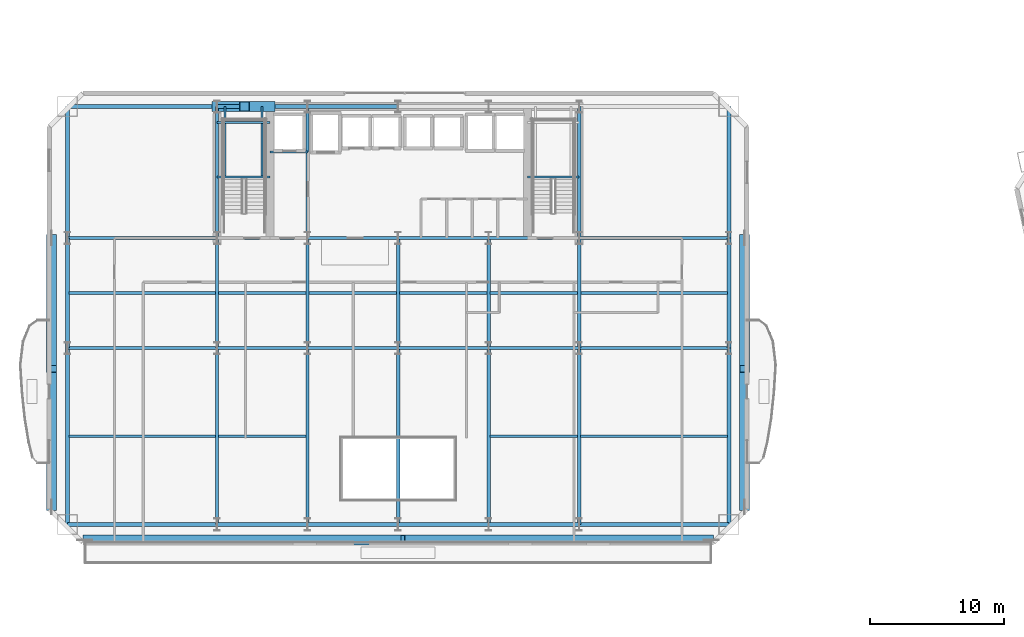
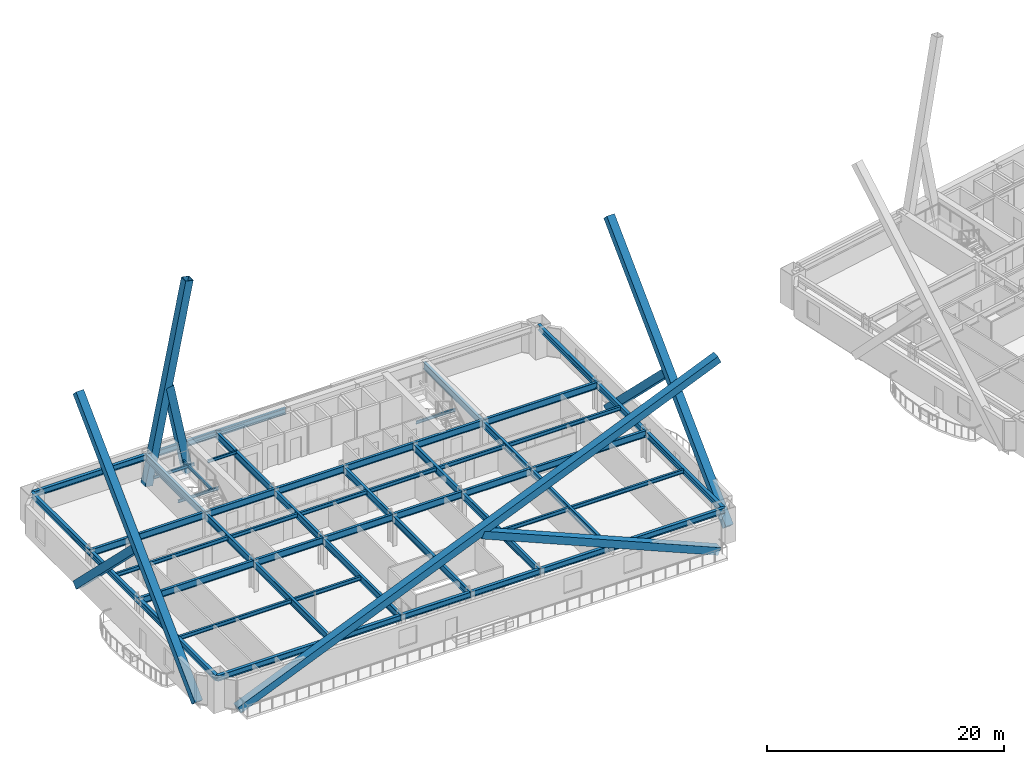
# One storey, part 3 of 25: 56 beams, 8 members.
"""IFC4 building model written with IfcOpenShell, lengths in metres."""

from ifc_helpers import new_model, si_unit, direction, frame, origin, origin_2d, place, context, subcontext, project, spatial, hollow_rectangle, i_section, extrude, material, material_profile, profile_set, type_object, element, save


model = new_model("IFC4")

# Units and contexts
model_context = context("Model", 3, precision=1e-05, world=origin(), true_north=direction((0.0, 1.0)))
body_context = subcontext(model_context, "Body", "Model", "MODEL_VIEW")
ifc_project = project(units=[si_unit("LENGTHUNIT", "METRE"), si_unit("AREAUNIT", "SQUARE_METRE"), si_unit("VOLUMEUNIT", "CUBIC_METRE"), si_unit("PLANEANGLEUNIT", "RADIAN"), si_unit("MASSUNIT", "GRAM", prefix="KILO")], contexts=[model_context])

# Site, building, storey
site_placement = place(None, origin())
site = spatial("IfcSite", under=ifc_project, at=site_placement, CompositionType="ELEMENT")
building_placement = place(site_placement, origin())
building = spatial("IfcBuilding", under=site, at=building_placement, Name="Haevon Station Towers", CompositionType="ELEMENT")
storey_placement = place(building_placement, frame((0.0, 0.0, 50.39990234375)))
storey = spatial("IfcBuildingStorey", under=building, at=storey_placement, Name="L12", CompositionType="ELEMENT", Elevation=50.39990234375)

# Beams
ifc_material_1 = material(Name="Steel S355", Category="steel")
ifc_material_profile_1 = material_profile(ifc_material_1, i_section(OverallWidth=0.25, OverallDepth=0.699951171875, WebThickness=0.012939453125, FlangeThickness=0.02392578125, at=origin_2d()), Name="H-700x250x13x24")
ifc_profile_set_1 = profile_set([ifc_material_profile_1], Name="Steel S355")
beam_type_1 = type_object("IfcBeamType", Name="BM-G700", PredefinedType="BEAM", material=ifc_profile_set_1)
beam_1_placement = place(storey_placement, frame((12.85009765625, 30.0, 2.7001953125), z_axis=(1.0, 0.0, 0.0), x_axis=(0.0, 1.0, 0.0)))
element("IfcBeam", 1, at=beam_1_placement, inside=storey, type_object=beam_type_1, Name="BM-T1U-L12-02-01", PredefinedType="BEAM", context=body_context, shape_type="SweptSolid", body=[
    extrude(i_section(OverallWidth=0.25, OverallDepth=0.699951171875, WebThickness=0.012939453125, FlangeThickness=0.02392578125, at=origin_2d()), origin(), (0.0, 0.0, 1.0), 11.14990234375),
])
for number, where, z_axis, x_axis, name in (
    (2, (24.0, 30.0, 2.7001953125), (1.0, 0.0, 0.0), (0.0, 1.0, 0.0), "BM-T1U-L12-02-02"),
    (3, (30.75, 30.0, 2.7001953125), (1.0, 0.0, 0.0), (0.0, 1.0, 0.0), "BM-T1U-L12-02-03"),
    (4, (37.5, 30.0, 2.7001953125), (1.0, 0.0, 0.0), (0.0, 1.0, 0.0), "BM-T1U-L12-02-04"),
    (5, (44.25, 30.0, 2.7001953125), (1.0, 0.0, 0.0), (0.0, 1.0, 0.0), "BM-T1U-L12-02-05"),
):
    element("IfcBeam", number, at=place(storey_placement, frame(where, z_axis=z_axis, x_axis=x_axis)), inside=storey, type_object=beam_type_1, Name=name, PredefinedType="BEAM", context=body_context, shape_type="SweptSolid", body=[
        extrude(i_section(OverallWidth=0.25, OverallDepth=0.699951171875, WebThickness=0.012939453125, FlangeThickness=0.02392578125, at=origin_2d()), origin(), (0.0, 0.0, 1.0), 6.75),
    ])
for number, where, z_axis, x_axis, name in (
    (6, (51.0, 30.0, 2.7001953125), (1.0, 0.0, 0.0), (0.0, 1.0, 0.0), "BM-T1U-L12-02-06"),
    (7, (12.85009765625, 38.199951171875, 2.7001953125), (1.0, 0.0, 0.0), (0.0, 1.0, 0.0), "BM-T1U-L12-03-01"),
):
    element("IfcBeam", number, at=place(storey_placement, frame(where, z_axis=z_axis, x_axis=x_axis)), inside=storey, type_object=beam_type_1, Name=name, PredefinedType="BEAM", context=body_context, shape_type="SweptSolid", body=[
        extrude(i_section(OverallWidth=0.25, OverallDepth=0.699951171875, WebThickness=0.012939453125, FlangeThickness=0.02392578125, at=origin_2d()), origin(), (0.0, 0.0, 1.0), 11.14990234375),
    ])
for number, where, z_axis, x_axis, name in (
    (8, (24.0, 38.199951171875, 2.7001953125), (1.0, 0.0, 0.0), (0.0, 1.0, 0.0), "BM-T1U-L12-03-02"),
    (9, (30.75, 38.199951171875, 2.7001953125), (1.0, 0.0, 0.0), (0.0, 1.0, 0.0), "BM-T1U-L12-03-03"),
    (10, (37.5, 38.199951171875, 2.7001953125), (1.0, 0.0, 0.0), (0.0, 1.0, 0.0), "BM-T1U-L12-03-04"),
    (11, (44.25, 38.199951171875, 2.7001953125), (1.0, 0.0, 0.0), (0.0, 1.0, 0.0), "BM-T1U-L12-03-05"),
):
    element("IfcBeam", number, at=place(storey_placement, frame(where, z_axis=z_axis, x_axis=x_axis)), inside=storey, type_object=beam_type_1, Name=name, PredefinedType="BEAM", context=body_context, shape_type="SweptSolid", body=[
        extrude(i_section(OverallWidth=0.25, OverallDepth=0.699951171875, WebThickness=0.012939453125, FlangeThickness=0.02392578125, at=origin_2d()), origin(), (0.0, 0.0, 1.0), 6.75),
    ])
beam_2_placement = place(storey_placement, frame((51.0, 38.199951171875, 2.7001953125), z_axis=(1.0, 0.0, 0.0), x_axis=(0.0, 1.0, 0.0)))
element("IfcBeam", 12, at=beam_2_placement, inside=storey, type_object=beam_type_1, Name="BM-T1U-L12-03-06", PredefinedType="BEAM", context=body_context, shape_type="SweptSolid", body=[
    extrude(i_section(OverallWidth=0.25, OverallDepth=0.699951171875, WebThickness=0.012939453125, FlangeThickness=0.02392578125, at=origin_2d()), origin(), (0.0, 0.0, 1.0), 11.14990234375),
])
beam_3_placement = place(storey_placement, frame((24.0, 16.85009765625, 2.7001953125), z_axis=(0.0, 1.0, 0.0), x_axis=(-1.0, 0.0, 0.0)))
element("IfcBeam", 13, at=beam_3_placement, inside=storey, type_object=beam_type_1, Name="BM-T1V-L12-02-01", PredefinedType="BEAM", context=body_context, shape_type="SweptSolid", body=[
    extrude(i_section(OverallWidth=0.25, OverallDepth=0.699951171875, WebThickness=0.012939453125, FlangeThickness=0.02392578125, at=origin_2d()), origin(), (0.0, 0.0, 1.0), 13.14990234375),
])
beam_4_placement = place(storey_placement, frame((24.0, 30.0, 2.7001953125), z_axis=(0.0, 1.0, 0.0), x_axis=(-1.0, 0.0, 0.0)))
element("IfcBeam", 14, at=beam_4_placement, inside=storey, type_object=beam_type_1, Name="BM-T1V-L12-02-02", PredefinedType="BEAM", context=body_context, shape_type="SweptSolid", body=[
    extrude(i_section(OverallWidth=0.25, OverallDepth=0.699951171875, WebThickness=0.012939453125, FlangeThickness=0.02392578125, at=origin_2d()), origin(), (0.0, 0.0, 1.0), 8.199951171875),
])
beam_5_placement = place(storey_placement, frame((24.0, 38.199951171875, 2.7001953125), z_axis=(0.0, 1.0, 0.0), x_axis=(-1.0, 0.0, 0.0)))
element("IfcBeam", 15, at=beam_5_placement, inside=storey, type_object=beam_type_1, Name="BM-T1V-L12-02-03", PredefinedType="BEAM", context=body_context, shape_type="SweptSolid", body=[
    extrude(i_section(OverallWidth=0.25, OverallDepth=0.699951171875, WebThickness=0.012939453125, FlangeThickness=0.02392578125, at=origin_2d()), origin(), (0.0, 0.0, 1.0), 9.800048828125),
])
beam_6_placement = place(storey_placement, frame((30.75, 16.85009765625, 2.7001953125), z_axis=(0.0, 1.0, 0.0), x_axis=(-1.0, 0.0, 0.0)))
element("IfcBeam", 16, at=beam_6_placement, inside=storey, type_object=beam_type_1, Name="BM-T1V-L12-03-01", PredefinedType="BEAM", context=body_context, shape_type="SweptSolid", body=[
    extrude(i_section(OverallWidth=0.25, OverallDepth=0.699951171875, WebThickness=0.012939453125, FlangeThickness=0.02392578125, at=origin_2d()), origin(), (0.0, 0.0, 1.0), 13.14990234375),
])
beam_7_placement = place(storey_placement, frame((30.75, 30.0, 2.7001953125), z_axis=(0.0, 1.0, 0.0), x_axis=(-1.0, 0.0, 0.0)))
element("IfcBeam", 17, at=beam_7_placement, inside=storey, type_object=beam_type_1, Name="BM-T1V-L12-03-02", PredefinedType="BEAM", context=body_context, shape_type="SweptSolid", body=[
    extrude(i_section(OverallWidth=0.25, OverallDepth=0.699951171875, WebThickness=0.012939453125, FlangeThickness=0.02392578125, at=origin_2d()), origin(), (0.0, 0.0, 1.0), 8.199951171875),
])
beam_8_placement = place(storey_placement, frame((30.75, 38.199951171875, 2.7001953125), z_axis=(0.0, 1.0, 0.0), x_axis=(-1.0, 0.0, 0.0)))
element("IfcBeam", 18, at=beam_8_placement, inside=storey, type_object=beam_type_1, Name="BM-T1V-L12-03-03", PredefinedType="BEAM", context=body_context, shape_type="SweptSolid", body=[
    extrude(i_section(OverallWidth=0.25, OverallDepth=0.699951171875, WebThickness=0.012939453125, FlangeThickness=0.02392578125, at=origin_2d()), origin(), (0.0, 0.0, 1.0), 9.800048828125),
])
beam_9_placement = place(storey_placement, frame((37.5, 16.85009765625, 2.7001953125), z_axis=(0.0, 1.0, 0.0), x_axis=(-1.0, 0.0, 0.0)))
element("IfcBeam", 19, at=beam_9_placement, inside=storey, type_object=beam_type_1, Name="BM-T1V-L12-04-01", PredefinedType="BEAM", context=body_context, shape_type="SweptSolid", body=[
    extrude(i_section(OverallWidth=0.25, OverallDepth=0.699951171875, WebThickness=0.012939453125, FlangeThickness=0.02392578125, at=origin_2d()), origin(), (0.0, 0.0, 1.0), 13.14990234375),
])
beam_10_placement = place(storey_placement, frame((37.5, 30.0, 2.7001953125), z_axis=(0.0, 1.0, 0.0), x_axis=(-1.0, 0.0, 0.0)))
element("IfcBeam", 20, at=beam_10_placement, inside=storey, type_object=beam_type_1, Name="BM-T1V-L12-04-02", PredefinedType="BEAM", context=body_context, shape_type="SweptSolid", body=[
    extrude(i_section(OverallWidth=0.25, OverallDepth=0.699951171875, WebThickness=0.012939453125, FlangeThickness=0.02392578125, at=origin_2d()), origin(), (0.0, 0.0, 1.0), 8.199951171875),
])
beam_11_placement = place(storey_placement, frame((44.25, 16.85009765625, 2.7001953125), z_axis=(0.0, 1.0, 0.0), x_axis=(-1.0, 0.0, 0.0)))
element("IfcBeam", 21, at=beam_11_placement, inside=storey, type_object=beam_type_1, Name="BM-T1V-L12-05-01", PredefinedType="BEAM", context=body_context, shape_type="SweptSolid", body=[
    extrude(i_section(OverallWidth=0.25, OverallDepth=0.699951171875, WebThickness=0.012939453125, FlangeThickness=0.02392578125, at=origin_2d()), origin(), (0.0, 0.0, 1.0), 13.14990234375),
])
beam_12_placement = place(storey_placement, frame((44.25, 30.0, 2.7001953125), z_axis=(0.0, 1.0, 0.0), x_axis=(-1.0, 0.0, 0.0)))
element("IfcBeam", 22, at=beam_12_placement, inside=storey, type_object=beam_type_1, Name="BM-T1V-L12-05-02", PredefinedType="BEAM", context=body_context, shape_type="SweptSolid", body=[
    extrude(i_section(OverallWidth=0.25, OverallDepth=0.699951171875, WebThickness=0.012939453125, FlangeThickness=0.02392578125, at=origin_2d()), origin(), (0.0, 0.0, 1.0), 8.199951171875),
])
beam_13_placement = place(storey_placement, frame((51.0, 16.85009765625, 2.7001953125), z_axis=(0.0, 1.0, 0.0), x_axis=(-1.0, 0.0, 0.0)))
element("IfcBeam", 23, at=beam_13_placement, inside=storey, type_object=beam_type_1, Name="BM-T1V-L12-06-01", PredefinedType="BEAM", context=body_context, shape_type="SweptSolid", body=[
    extrude(i_section(OverallWidth=0.25, OverallDepth=0.699951171875, WebThickness=0.012939453125, FlangeThickness=0.02392578125, at=origin_2d()), origin(), (0.0, 0.0, 1.0), 13.14990234375),
])
beam_14_placement = place(storey_placement, frame((51.0, 30.0, 2.7001953125), z_axis=(0.0, 1.0, 0.0), x_axis=(-1.0, 0.0, 0.0)))
element("IfcBeam", 24, at=beam_14_placement, inside=storey, type_object=beam_type_1, Name="BM-T1V-L12-06-02", PredefinedType="BEAM", context=body_context, shape_type="SweptSolid", body=[
    extrude(i_section(OverallWidth=0.25, OverallDepth=0.699951171875, WebThickness=0.012939453125, FlangeThickness=0.02392578125, at=origin_2d()), origin(), (0.0, 0.0, 1.0), 8.199951171875),
])
beam_15_placement = place(storey_placement, frame((51.0, 38.199951171875, 2.7001953125), z_axis=(0.0, 1.0, 0.0), x_axis=(-1.0, 0.0, 0.0)))
element("IfcBeam", 25, at=beam_15_placement, inside=storey, type_object=beam_type_1, Name="BM-T1V-L12-06-03", PredefinedType="BEAM", context=body_context, shape_type="SweptSolid", body=[
    extrude(i_section(OverallWidth=0.25, OverallDepth=0.699951171875, WebThickness=0.012939453125, FlangeThickness=0.02392578125, at=origin_2d()), origin(), (0.0, 0.0, 1.0), 9.800048828125),
])
ifc_material_profile_2 = material_profile(ifc_material_1, i_section(OverallWidth=0.199951171875, OverallDepth=0.39990234375, WebThickness=0.008056640625, FlangeThickness=0.012939453125, at=origin_2d()), Name="H-400x200x8x13")
ifc_profile_set_2 = profile_set([ifc_material_profile_2], Name="Steel S355")
beam_type_2 = type_object("IfcBeamType", Name="BM-J400", PredefinedType="JOIST", material=ifc_profile_set_2)
beam_16_placement = place(storey_placement, frame((12.9599609375, 23.425048828125, 2.85009765625), z_axis=(1.0, 0.0, 0.0), x_axis=(0.0, 1.0, 0.0)))
element("IfcBeam", 26, at=beam_16_placement, inside=storey, type_object=beam_type_2, Name="BM-T1J-L12-01-01", PredefinedType="JOIST", context=body_context, shape_type="SweptSolid", body=[
    extrude(i_section(OverallWidth=0.199951171875, OverallDepth=0.39990234375, WebThickness=0.008056640625, FlangeThickness=0.012939453125, at=origin_2d()), origin(), (0.0, 0.0, 1.0), 10.929931640625),
])
for number, where, z_axis, x_axis, name in (
    (27, (24.110107421875, 23.425048828125, 2.85009765625), (1.0, 0.0, 0.0), (0.0, 1.0, 0.0), "BM-T1J-L12-01-02"),
    (28, (44.360107421875, 23.425048828125, 2.85009765625), (1.0, 0.0, 0.0), (0.0, 1.0, 0.0), "BM-T1J-L12-01-05"),
):
    element("IfcBeam", number, at=place(storey_placement, frame(where, z_axis=z_axis, x_axis=x_axis)), inside=storey, type_object=beam_type_2, Name=name, PredefinedType="JOIST", context=body_context, shape_type="SweptSolid", body=[
        extrude(i_section(OverallWidth=0.199951171875, OverallDepth=0.39990234375, WebThickness=0.008056640625, FlangeThickness=0.012939453125, at=origin_2d()), origin(), (0.0, 0.0, 1.0), 6.52978515625),
    ])
for number, where, z_axis, x_axis, name in (
    (29, (51.110107421875, 23.425048828125, 2.85009765625), (1.0, 0.0, 0.0), (0.0, 1.0, 0.0), "BM-T1J-L12-01-06"),
    (30, (12.9599609375, 34.10009765625, 2.85009765625), (1.0, 0.0, 0.0), (0.0, 1.0, 0.0), "BM-T1J-L12-02-01"),
):
    element("IfcBeam", number, at=place(storey_placement, frame(where, z_axis=z_axis, x_axis=x_axis)), inside=storey, type_object=beam_type_2, Name=name, PredefinedType="JOIST", context=body_context, shape_type="SweptSolid", body=[
        extrude(i_section(OverallWidth=0.199951171875, OverallDepth=0.39990234375, WebThickness=0.008056640625, FlangeThickness=0.012939453125, at=origin_2d()), origin(), (0.0, 0.0, 1.0), 10.929931640625),
    ])
for number, where, z_axis, x_axis, name in (
    (31, (24.110107421875, 34.10009765625, 2.85009765625), (1.0, 0.0, 0.0), (0.0, 1.0, 0.0), "BM-T1J-L12-02-02"),
    (32, (30.860107421875, 34.10009765625, 2.85009765625), (1.0, 0.0, 0.0), (0.0, 1.0, 0.0), "BM-T1J-L12-02-03"),
    (33, (37.610107421875, 34.10009765625, 2.85009765625), (1.0, 0.0, 0.0), (0.0, 1.0, 0.0), "BM-T1J-L12-02-04"),
    (34, (44.360107421875, 34.10009765625, 2.85009765625), (1.0, 0.0, 0.0), (0.0, 1.0, 0.0), "BM-T1J-L12-02-05"),
):
    element("IfcBeam", number, at=place(storey_placement, frame(where, z_axis=z_axis, x_axis=x_axis)), inside=storey, type_object=beam_type_2, Name=name, PredefinedType="JOIST", context=body_context, shape_type="SweptSolid", body=[
        extrude(i_section(OverallWidth=0.199951171875, OverallDepth=0.39990234375, WebThickness=0.008056640625, FlangeThickness=0.012939453125, at=origin_2d()), origin(), (0.0, 0.0, 1.0), 6.52978515625),
    ])
beam_17_placement = place(storey_placement, frame((51.110107421875, 34.10009765625, 2.85009765625), z_axis=(1.0, 0.0, 0.0), x_axis=(0.0, 1.0, 0.0)))
element("IfcBeam", 35, at=beam_17_placement, inside=storey, type_object=beam_type_2, Name="BM-T1J-L12-02-06", PredefinedType="JOIST", context=body_context, shape_type="SweptSolid", body=[
    extrude(i_section(OverallWidth=0.199951171875, OverallDepth=0.39990234375, WebThickness=0.008056640625, FlangeThickness=0.012939453125, at=origin_2d()), origin(), (0.0, 0.0, 1.0), 10.929931640625),
])
ifc_material_profile_3 = material_profile(ifc_material_1, i_section(OverallWidth=0.14990234375, OverallDepth=0.300048828125, WebThickness=0.006591796875, FlangeThickness=0.009033203125, at=origin_2d()), Name="H-300x150x6.5x9")
ifc_profile_set_3 = profile_set([ifc_material_profile_3], Name="Steel S355")
beam_type_3 = type_object("IfcBeamType", Name="BM-LIN300", PredefinedType="LINTEL", material=ifc_profile_set_3)
for number, where, z_axis, x_axis, name in (
    (36, (24.0, 42.743896484375, 1.300048828125), (1.0, 0.0, 0.0), (0.0, 1.0, 0.0), "BM-ST1L-L12-1-S"),
    (37, (24.0, 46.820068359375, 1.300048828125), (1.0, 0.0, 0.0), (0.0, 1.0, 0.0), "BM-ST1L-L12-1-N"),
):
    element("IfcBeam", number, at=place(storey_placement, frame(where, z_axis=z_axis, x_axis=x_axis)), inside=storey, type_object=beam_type_3, Name=name, PredefinedType="LINTEL", context=body_context, shape_type="SweptSolid", body=[
        extrude(i_section(OverallWidth=0.14990234375, OverallDepth=0.300048828125, WebThickness=0.006591796875, FlangeThickness=0.009033203125, at=origin_2d()), origin(), (0.0, 0.0, 1.0), 3.949951171875),
    ])
for number, where, z_axis, x_axis, name in (
    (38, (24.60009765625, 42.743896484375, 1.300048828125), (0.0, 1.0, 0.0), (-1.0, 0.0, 0.0), "BM-ST1L-L12-1-W"),
    (39, (27.35009765625, 42.743896484375, 1.300048828125), (0.0, 1.0, 0.0), (-1.0, 0.0, 0.0), "BM-ST1L-L12-1-E"),
):
    element("IfcBeam", number, at=place(storey_placement, frame(where, z_axis=z_axis, x_axis=x_axis)), inside=storey, type_object=beam_type_3, Name=name, PredefinedType="LINTEL", context=body_context, shape_type="SweptSolid", body=[
        extrude(i_section(OverallWidth=0.14990234375, OverallDepth=0.300048828125, WebThickness=0.006591796875, FlangeThickness=0.009033203125, at=origin_2d()), origin(), (0.0, 0.0, 1.0), 5.256103515625),
    ])
beam_18_placement = place(storey_placement, frame((47.14990234375, 42.743896484375, 1.300048828125), z_axis=(1.0, 0.0, 0.0), x_axis=(0.0, 1.0, 0.0)))
element("IfcBeam", 40, at=beam_18_placement, inside=storey, type_object=beam_type_3, Name="BM-ST2L-L12-1-S", PredefinedType="LINTEL", context=body_context, shape_type="SweptSolid", body=[
    extrude(i_section(OverallWidth=0.14990234375, OverallDepth=0.300048828125, WebThickness=0.006591796875, FlangeThickness=0.009033203125, at=origin_2d()), origin(), (0.0, 0.0, 1.0), 3.85009765625),
])
beam_19_placement = place(storey_placement, frame((27.949951171875, 44.60009765625, 2.900146484375), z_axis=(1.0, 0.0, 0.0), x_axis=(0.0, 1.0, 0.0)))
element("IfcBeam", 41, at=beam_19_placement, inside=storey, type_object=beam_type_3, Name="BM-T1LIN-L12", PredefinedType="LINTEL", context=body_context, shape_type="SweptSolid", body=[
    extrude(i_section(OverallWidth=0.14990234375, OverallDepth=0.300048828125, WebThickness=0.006591796875, FlangeThickness=0.009033203125, at=origin_2d()), origin(), (0.0, 0.0, 1.0), 2.85009765625),
])
ifc_material_profile_4 = material_profile(ifc_material_1, i_section(OverallWidth=0.300048828125, OverallDepth=0.587890625, WebThickness=0.011962890625, FlangeThickness=0.02001953125, at=origin_2d()), Name="H-588x300x12x20")
ifc_profile_set_4 = profile_set([ifc_material_profile_4], Name="Steel S355")
beam_type_4 = type_object("IfcBeamType", Name="BM-SP588", PredefinedType="SPANDREL", material=ifc_profile_set_4)
beam_20_placement = place(storey_placement, frame((12.85009765625, 16.85009765625, 2.756103515625), z_axis=(1.0, 0.0, 0.0), x_axis=(0.0, 1.0, 0.0)))
element("IfcBeam", 42, at=beam_20_placement, inside=storey, type_object=beam_type_4, Name="BM-T1U-L12-01-01", PredefinedType="SPANDREL", context=body_context, shape_type="SweptSolid", body=[
    extrude(i_section(OverallWidth=0.300048828125, OverallDepth=0.587890625, WebThickness=0.011962890625, FlangeThickness=0.02001953125, at=origin_2d()), origin(), (0.0, 0.0, 1.0), 11.14990234375),
])
for number, where, z_axis, x_axis, name in (
    (43, (24.0, 16.85009765625, 2.756103515625), (1.0, 0.0, 0.0), (0.0, 1.0, 0.0), "BM-T1U-L12-01-02"),
    (44, (30.75, 16.85009765625, 2.756103515625), (1.0, 0.0, 0.0), (0.0, 1.0, 0.0), "BM-T1U-L12-01-03"),
    (45, (37.5, 16.85009765625, 2.756103515625), (1.0, 0.0, 0.0), (0.0, 1.0, 0.0), "BM-T1U-L12-01-04"),
    (46, (44.25, 16.85009765625, 2.756103515625), (1.0, 0.0, 0.0), (0.0, 1.0, 0.0), "BM-T1U-L12-01-05"),
):
    element("IfcBeam", number, at=place(storey_placement, frame(where, z_axis=z_axis, x_axis=x_axis)), inside=storey, type_object=beam_type_4, Name=name, PredefinedType="SPANDREL", context=body_context, shape_type="SweptSolid", body=[
        extrude(i_section(OverallWidth=0.300048828125, OverallDepth=0.587890625, WebThickness=0.011962890625, FlangeThickness=0.02001953125, at=origin_2d()), origin(), (0.0, 0.0, 1.0), 6.75),
    ])
for number, where, z_axis, x_axis, name in (
    (47, (51.0, 16.85009765625, 2.756103515625), (1.0, 0.0, 0.0), (0.0, 1.0, 0.0), "BM-T1U-L12-01-06"),
    (48, (12.85009765625, 48.0, 2.756103515625), (1.0, 0.0, 0.0), (0.0, 1.0, 0.0), "BM-T1U-L12-04-01"),
):
    element("IfcBeam", number, at=place(storey_placement, frame(where, z_axis=z_axis, x_axis=x_axis)), inside=storey, type_object=beam_type_4, Name=name, PredefinedType="SPANDREL", context=body_context, shape_type="SweptSolid", body=[
        extrude(i_section(OverallWidth=0.300048828125, OverallDepth=0.587890625, WebThickness=0.011962890625, FlangeThickness=0.02001953125, at=origin_2d()), origin(), (0.0, 0.0, 1.0), 11.14990234375),
    ])
for number, where, z_axis, x_axis, name in (
    (49, (24.0, 48.0, 2.756103515625), (1.0, 0.0, 0.0), (0.0, 1.0, 0.0), "BM-T1U-L12-04-02"),
    (50, (30.75, 48.0, 2.756103515625), (1.0, 0.0, 0.0), (0.0, 1.0, 0.0), "BM-T1U-L12-04-03"),
):
    element("IfcBeam", number, at=place(storey_placement, frame(where, z_axis=z_axis, x_axis=x_axis)), inside=storey, type_object=beam_type_4, Name=name, PredefinedType="SPANDREL", context=body_context, shape_type="SweptSolid", body=[
        extrude(i_section(OverallWidth=0.300048828125, OverallDepth=0.587890625, WebThickness=0.011962890625, FlangeThickness=0.02001953125, at=origin_2d()), origin(), (0.0, 0.0, 1.0), 6.75),
    ])
beam_21_placement = place(storey_placement, frame((12.85009765625, 16.85009765625, 2.756103515625), z_axis=(0.0, 1.0, 0.0), x_axis=(-1.0, 0.0, 0.0)))
element("IfcBeam", 51, at=beam_21_placement, inside=storey, type_object=beam_type_4, Name="BM-T1V-L12-01-01", PredefinedType="SPANDREL", context=body_context, shape_type="SweptSolid", body=[
    extrude(i_section(OverallWidth=0.300048828125, OverallDepth=0.587890625, WebThickness=0.011962890625, FlangeThickness=0.02001953125, at=origin_2d()), origin(), (0.0, 0.0, 1.0), 13.14990234375),
])
beam_22_placement = place(storey_placement, frame((12.85009765625, 30.0, 2.756103515625), z_axis=(0.0, 1.0, 0.0), x_axis=(-1.0, 0.0, 0.0)))
element("IfcBeam", 52, at=beam_22_placement, inside=storey, type_object=beam_type_4, Name="BM-T1V-L12-01-02", PredefinedType="SPANDREL", context=body_context, shape_type="SweptSolid", body=[
    extrude(i_section(OverallWidth=0.300048828125, OverallDepth=0.587890625, WebThickness=0.011962890625, FlangeThickness=0.02001953125, at=origin_2d()), origin(), (0.0, 0.0, 1.0), 8.199951171875),
])
beam_23_placement = place(storey_placement, frame((12.85009765625, 38.199951171875, 2.756103515625), z_axis=(0.0, 1.0, 0.0), x_axis=(-1.0, 0.0, 0.0)))
element("IfcBeam", 53, at=beam_23_placement, inside=storey, type_object=beam_type_4, Name="BM-T1V-L12-01-03", PredefinedType="SPANDREL", context=body_context, shape_type="SweptSolid", body=[
    extrude(i_section(OverallWidth=0.300048828125, OverallDepth=0.587890625, WebThickness=0.011962890625, FlangeThickness=0.02001953125, at=origin_2d()), origin(), (0.0, 0.0, 1.0), 9.800048828125),
])
beam_24_placement = place(storey_placement, frame((62.14990234375, 16.85009765625, 2.756103515625), z_axis=(0.0, 1.0, 0.0), x_axis=(-1.0, 0.0, 0.0)))
element("IfcBeam", 54, at=beam_24_placement, inside=storey, type_object=beam_type_4, Name="BM-T1V-L12-07-01", PredefinedType="SPANDREL", context=body_context, shape_type="SweptSolid", body=[
    extrude(i_section(OverallWidth=0.300048828125, OverallDepth=0.587890625, WebThickness=0.011962890625, FlangeThickness=0.02001953125, at=origin_2d()), origin(), (0.0, 0.0, 1.0), 13.14990234375),
])
beam_25_placement = place(storey_placement, frame((62.14990234375, 30.0, 2.756103515625), z_axis=(0.0, 1.0, 0.0), x_axis=(-1.0, 0.0, 0.0)))
element("IfcBeam", 55, at=beam_25_placement, inside=storey, type_object=beam_type_4, Name="BM-T1V-L12-07-02", PredefinedType="SPANDREL", context=body_context, shape_type="SweptSolid", body=[
    extrude(i_section(OverallWidth=0.300048828125, OverallDepth=0.587890625, WebThickness=0.011962890625, FlangeThickness=0.02001953125, at=origin_2d()), origin(), (0.0, 0.0, 1.0), 8.199951171875),
])
beam_26_placement = place(storey_placement, frame((62.14990234375, 38.199951171875, 2.756103515625), z_axis=(0.0, 1.0, 0.0), x_axis=(-1.0, 0.0, 0.0)))
element("IfcBeam", 56, at=beam_26_placement, inside=storey, type_object=beam_type_4, Name="BM-T1V-L12-07-03", PredefinedType="SPANDREL", context=body_context, shape_type="SweptSolid", body=[
    extrude(i_section(OverallWidth=0.300048828125, OverallDepth=0.587890625, WebThickness=0.011962890625, FlangeThickness=0.02001953125, at=origin_2d()), origin(), (0.0, 0.0, 1.0), 9.800048828125),
])

# Members
ifc_material_2 = material(Name="Steel S460", Category="steel")
ifc_material_profile_5 = material_profile(ifc_material_2, hollow_rectangle(XDim=0.75, YDim=0.75, WallThickness=0.035888671875, at=origin_2d()), Name="RHS-750x750x36")
ifc_profile_set_5 = profile_set([ifc_material_profile_5], Name="Steel S460")
member_type = type_object("IfcMemberType", Name="MB-750", PredefinedType="BRACE", material=ifc_profile_set_5)
member_1_placement = place(storey_placement, frame((14.14990234375, 15.679931640625, -0.119873046875), z_axis=(0.920880584671, 0.0, 0.389844775232), x_axis=(0.0, 1.0, 0.0)))
element("IfcMember", 57, at=member_1_placement, inside=storey, type_object=member_type, Name="BR-T1MB-T01-S-D1", PredefinedType="BRACE", context=body_context, shape_type="SweptSolid", body=[
    extrude(hollow_rectangle(XDim=0.75, YDim=0.75, WallThickness=0.035888671875, at=origin_2d()), origin(), (0.0, 0.0, 1.0), 50.712646484375),
])
member_2_placement = place(storey_placement, frame((60.85009765625, 15.679931640625, -0.119873046875), z_axis=(-0.920880321009, 0.0, 0.389845398048), x_axis=(0.0, -1.0, 0.0)))
element("IfcMember", 58, at=member_2_placement, inside=storey, type_object=member_type, Name="BR-T1MB-T01-S-D2A", PredefinedType="BRACE", context=body_context, shape_type="SweptSolid", body=[
    extrude(hollow_rectangle(XDim=0.75, YDim=0.75, WallThickness=0.035888671875, at=origin_2d()), origin(), (0.0, 0.0, 1.0), 24.96923828125),
])
member_3_placement = place(storey_placement, frame((24.0, 48.0, -0.119873046875), z_axis=(0.19592284188, 0.0, 0.98061931453), x_axis=(0.0, 1.0, 0.0)))
element("IfcMember", 59, at=member_3_placement, inside=storey, type_object=member_type, Name="BR-T1MB-T01-N-D1", PredefinedType="BRACE", context=body_context, shape_type="SweptSolid", body=[
    extrude(hollow_rectangle(XDim=0.75, YDim=0.75, WallThickness=0.035888671875, at=origin_2d()), origin(), (0.0, 0.0, 1.0), 20.16064453125),
])
member_4_placement = place(storey_placement, frame((27.949951171875, 48.0, -0.119873046875), z_axis=(-0.195927231353, 0.0, 0.980618437525), x_axis=(0.0, -1.0, 0.0)))
element("IfcMember", 60, at=member_4_placement, inside=storey, type_object=member_type, Name="BR-T1MB-T01-N-D2A", PredefinedType="BRACE", context=body_context, shape_type="SweptSolid", body=[
    extrude(hollow_rectangle(XDim=0.75, YDim=0.75, WallThickness=0.035888671875, at=origin_2d()), origin(), (0.0, 0.0, 1.0), 9.693359375),
])
member_5_placement = place(storey_placement, frame((11.679931640625, 18.14990234375, -0.119873046875), z_axis=(0.0, 0.712061807913, 0.702116786377), x_axis=(-1.0, 0.0, 0.0)))
element("IfcMember", 61, at=member_5_placement, inside=storey, type_object=member_type, Name="BR-T1MB-T01-W-D1", PredefinedType="BRACE", context=body_context, shape_type="SweptSolid", body=[
    extrude(hollow_rectangle(XDim=0.75, YDim=0.75, WallThickness=0.035888671875, at=origin_2d()), origin(), (0.0, 0.0, 1.0), 28.15771484375),
])
member_6_placement = place(storey_placement, frame((11.679931640625, 38.199951171875, -0.119873046875), z_axis=(0.0, -0.712055346281, 0.702123339473), x_axis=(1.0, 0.0, 0.0)))
element("IfcMember", 62, at=member_6_placement, inside=storey, type_object=member_type, Name="BR-T1MB-T01-W-D2A", PredefinedType="BRACE", context=body_context, shape_type="SweptSolid", body=[
    extrude(hollow_rectangle(XDim=0.75, YDim=0.75, WallThickness=0.035888671875, at=origin_2d()), origin(), (0.0, 0.0, 1.0), 13.691650390625),
])
member_7_placement = place(storey_placement, frame((63.320068359375, 18.14990234375, -0.119873046875), z_axis=(0.0, 0.712061807913, 0.702116786377), x_axis=(-1.0, 0.0, 0.0)))
element("IfcMember", 63, at=member_7_placement, inside=storey, type_object=member_type, Name="BR-T1MB-T01-E-D1", PredefinedType="BRACE", context=body_context, shape_type="SweptSolid", body=[
    extrude(hollow_rectangle(XDim=0.75, YDim=0.75, WallThickness=0.035888671875, at=origin_2d()), origin(), (0.0, 0.0, 1.0), 28.15771484375),
])
member_8_placement = place(storey_placement, frame((63.320068359375, 38.199951171875, -0.119873046875), z_axis=(0.0, -0.712055346281, 0.702123339473), x_axis=(1.0, 0.0, 0.0)))
element("IfcMember", 64, at=member_8_placement, inside=storey, type_object=member_type, Name="BR-T1MB-T01-E-D2A", PredefinedType="BRACE", context=body_context, shape_type="SweptSolid", body=[
    extrude(hollow_rectangle(XDim=0.75, YDim=0.75, WallThickness=0.035888671875, at=origin_2d()), origin(), (0.0, 0.0, 1.0), 13.691650390625),
])

save(model, "model.ifc")
